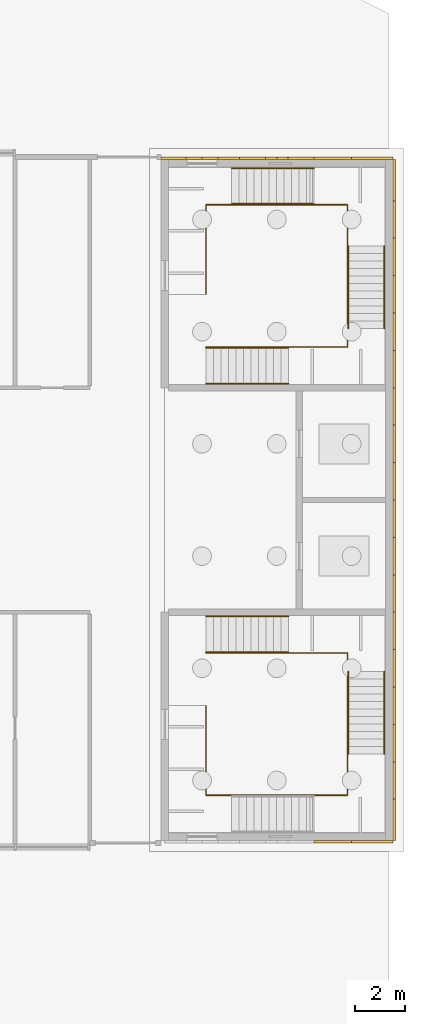
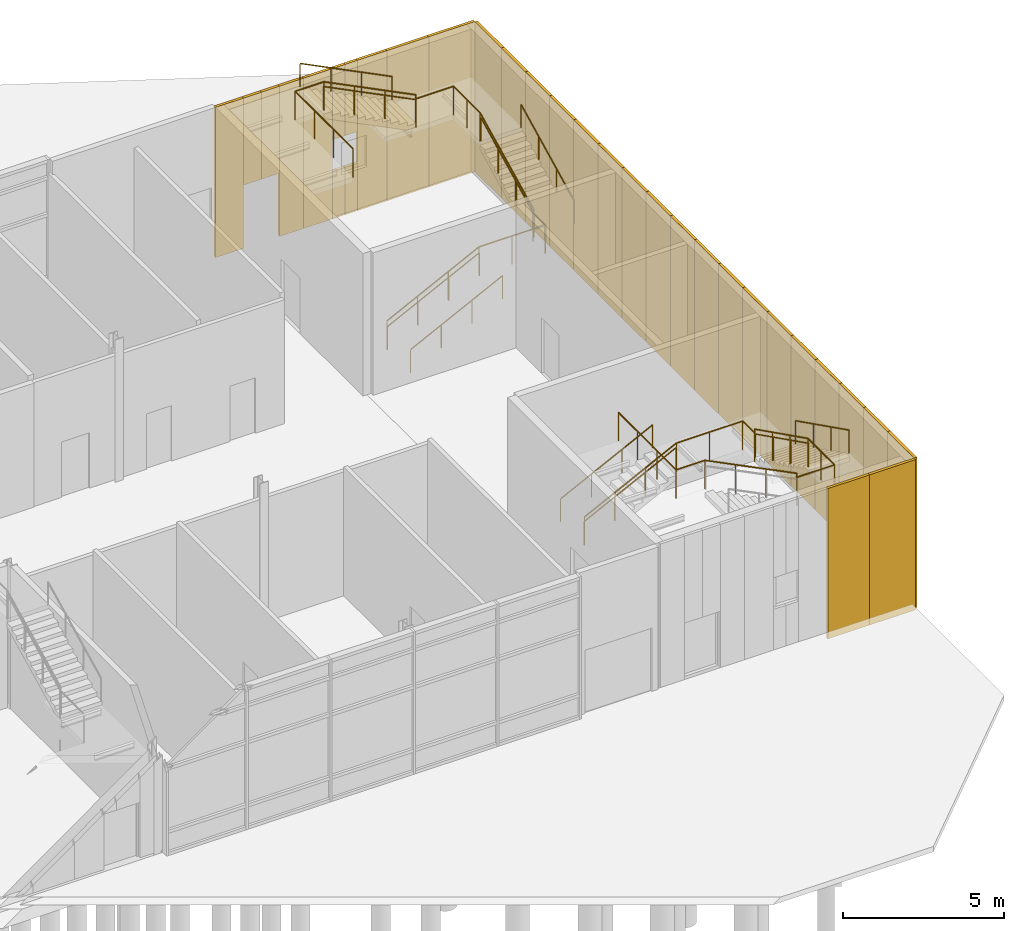
# One storey, part 44 of 45: 32 coverings, 12 railings.
"""IFC4 building model written with IfcOpenShell, lengths in metres."""

from ifc_helpers import new_model, si_unit, direction, frame, origin, origin_2d, place, context, subcontext, project, spatial, rectangle, circle, extrude, material, layer, layer_set, type_object, element, save


model = new_model("IFC4")

# Units and contexts
model_context = context("Model", 3, precision=1e-05, world=origin(), true_north=direction((0.0, 1.0)))
body_context = subcontext(model_context, "Body", "Model", "MODEL_VIEW")
ifc_project = project(units=[si_unit("LENGTHUNIT", "METRE"), si_unit("AREAUNIT", "SQUARE_METRE"), si_unit("VOLUMEUNIT", "CUBIC_METRE"), si_unit("PLANEANGLEUNIT", "RADIAN"), si_unit("MASSUNIT", "GRAM", prefix="KILO")], contexts=[model_context])

# Site, building, storey
site_placement = place(None, origin())
site = spatial("IfcSite", under=ifc_project, at=site_placement, CompositionType="ELEMENT")
building_placement = place(site_placement, origin())
building = spatial("IfcBuilding", under=site, at=building_placement, Name="Azimuth Sports and Learning Centre", CompositionType="ELEMENT")
storey_placement = place(building_placement, origin())
storey = spatial("IfcBuildingStorey", under=building, at=storey_placement, Name="L00", CompositionType="ELEMENT", Elevation=0.0)

# Coverings
ifc_material_1 = material(Name="Cladding panel")
ifc_layer = layer(ifc_material_1, 0.10009765625)
ifc_layer_set = layer_set([ifc_layer], Name="Cladding panel")
covering_type = type_object("IfcCoveringType", Name="Cladding panel 100", PredefinedType="CLADDING", material=ifc_layer_set)
covering_1_placement = place(storey_placement, frame((168.75, 89.800048828125, -0.2998046875), z_axis=(0.0, 0.0, 1.0), x_axis=(1.0, 0.0, 0.0)))
element("IfcCovering", 1, at=covering_1_placement, inside=storey, type_object=covering_type, Name="Cladding panel S-END E L00 11", PredefinedType="CLADDING", context=body_context, shape_type="SweptSolid", body=[
    extrude(rectangle(XDim=1.5, YDim=0.10009765625, at=origin_2d()), origin(), (0.0, 0.0, 1.0), 5.699951171875),
])
for number, where, z_axis, x_axis, name in (
    (2, (170.324951171875, 89.800048828125, -0.2998046875), (0.0, 0.0, 1.0), (1.0, 0.0, 0.0), "Cladding panel S-END E L00 12"),
    (3, (171.199951171875, 90.675048828125, -0.2998046875), (0.0, 0.0, 1.0), (0.0, 1.0, 0.0), "Cladding panel E-END E L00 1"),
):
    element("IfcCovering", number, at=place(storey_placement, frame(where, z_axis=z_axis, x_axis=x_axis)), inside=storey, type_object=covering_type, Name=name, PredefinedType="CLADDING", context=body_context, shape_type="SweptSolid", body=[
        extrude(rectangle(XDim=1.64990234375, YDim=0.10009765625, at=origin_2d()), origin(), (0.0, 0.0, 1.0), 5.699951171875),
    ])
for number, where, z_axis, x_axis, name in (
    (4, (171.199951171875, 92.25, -0.2998046875), (0.0, 0.0, 1.0), (0.0, 1.0, 0.0), "Cladding panel E-END E L00 2"),
    (5, (171.199951171875, 93.75, -0.2998046875), (0.0, 0.0, 1.0), (0.0, 1.0, 0.0), "Cladding panel E-END E L00 3"),
    (6, (171.199951171875, 95.25, -0.2998046875), (0.0, 0.0, 1.0), (0.0, 1.0, 0.0), "Cladding panel E-END E L00 4"),
    (7, (171.199951171875, 96.75, -0.2998046875), (0.0, 0.0, 1.0), (0.0, 1.0, 0.0), "Cladding panel E-END E L00 5"),
    (8, (171.199951171875, 98.25, -0.2998046875), (0.0, 0.0, 1.0), (0.0, 1.0, 0.0), "Cladding panel E-END E L00 6"),
    (9, (171.199951171875, 99.75, -0.2998046875), (0.0, 0.0, 1.0), (0.0, 1.0, 0.0), "Cladding panel E-END E L00 7"),
    (10, (171.199951171875, 101.25, -0.2998046875), (0.0, 0.0, 1.0), (0.0, 1.0, 0.0), "Cladding panel E-END E L00 8"),
    (11, (171.199951171875, 102.75, -0.2998046875), (0.0, 0.0, 1.0), (0.0, 1.0, 0.0), "Cladding panel E-END E L00 9"),
    (12, (171.199951171875, 104.25, -0.2998046875), (0.0, 0.0, 1.0), (0.0, 1.0, 0.0), "Cladding panel E-END E L00 10"),
    (13, (171.199951171875, 105.75, -0.2998046875), (0.0, 0.0, 1.0), (0.0, 1.0, 0.0), "Cladding panel E-END E L00 11"),
    (14, (171.199951171875, 107.25, -0.2998046875), (0.0, 0.0, 1.0), (0.0, 1.0, 0.0), "Cladding panel E-END E L00 12"),
    (15, (171.199951171875, 108.75, -0.2998046875), (0.0, 0.0, 1.0), (0.0, 1.0, 0.0), "Cladding panel E-END E L00 13"),
    (16, (171.199951171875, 110.25, -0.2998046875), (0.0, 0.0, 1.0), (0.0, 1.0, 0.0), "Cladding panel E-END E L00 14"),
    (17, (171.199951171875, 111.75, -0.2998046875), (0.0, 0.0, 1.0), (0.0, 1.0, 0.0), "Cladding panel E-END E L00 15"),
    (18, (171.199951171875, 113.25, -0.2998046875), (0.0, 0.0, 1.0), (0.0, 1.0, 0.0), "Cladding panel E-END E L00 16"),
    (19, (171.199951171875, 114.75, -0.2998046875), (0.0, 0.0, 1.0), (0.0, 1.0, 0.0), "Cladding panel E-END E L00 17"),
):
    element("IfcCovering", number, at=place(storey_placement, frame(where, z_axis=z_axis, x_axis=x_axis)), inside=storey, type_object=covering_type, Name=name, PredefinedType="CLADDING", context=body_context, shape_type="SweptSolid", body=[
        extrude(rectangle(XDim=1.5, YDim=0.10009765625, at=origin_2d()), origin(), (0.0, 0.0, 1.0), 5.699951171875),
    ])
for number, where, z_axis, x_axis, name in (
    (20, (171.199951171875, 116.324951171875, -0.2998046875), (0.0, 0.0, 1.0), (0.0, 1.0, 0.0), "Cladding panel E-END E L00 18"),
    (21, (170.324951171875, 117.199951171875, -0.2998046875), (0.0, 0.0, 1.0), (-1.0, 0.0, 0.0), "Cladding panel N-END E L00 1"),
):
    element("IfcCovering", number, at=place(storey_placement, frame(where, z_axis=z_axis, x_axis=x_axis)), inside=storey, type_object=covering_type, Name=name, PredefinedType="CLADDING", context=body_context, shape_type="SweptSolid", body=[
        extrude(rectangle(XDim=1.64990234375, YDim=0.10009765625, at=origin_2d()), origin(), (0.0, 0.0, 1.0), 5.699951171875),
    ])
covering_2_placement = place(storey_placement, frame((168.75, 117.199951171875, -0.2998046875), z_axis=(0.0, 0.0, 1.0), x_axis=(-1.0, 0.0, 0.0)))
element("IfcCovering", 22, at=covering_2_placement, inside=storey, type_object=covering_type, Name="Cladding panel N-END E L00 2", PredefinedType="CLADDING", context=body_context, shape_type="SweptSolid", body=[
    extrude(rectangle(XDim=1.5, YDim=0.10009765625, at=origin_2d()), origin(), (0.0, 0.0, 1.0), 5.699951171875),
])
covering_3_placement = place(storey_placement, frame((167.47509765625, 117.199951171875, -0.2998046875), z_axis=(0.0, 0.0, 1.0), x_axis=(-1.0, 0.0, 0.0)))
element("IfcCovering", 23, at=covering_3_placement, inside=storey, type_object=covering_type, Name="Cladding panel N-END E L00 3", PredefinedType="CLADDING", context=body_context, shape_type="SweptSolid", body=[
    extrude(rectangle(XDim=1.050048828125, YDim=0.10009765625, at=origin_2d()), origin(), (0.0, 0.0, 1.0), 5.699951171875),
])
covering_4_placement = place(storey_placement, frame((166.72509765625, 117.199951171875, -0.2998046875), z_axis=(0.0, 0.0, 1.0), x_axis=(-1.0, 0.0, 0.0)))
element("IfcCovering", 24, at=covering_4_placement, inside=storey, type_object=covering_type, Name="Cladding panel N-END E L00 4", PredefinedType="CLADDING", context=body_context, shape_type="SweptSolid", body=[
    extrude(rectangle(XDim=0.449951171875, YDim=0.10009765625, at=origin_2d()), origin(), (0.0, 0.0, 1.0), 1.800048828125),
])
covering_5_placement = place(storey_placement, frame((166.72509765625, 117.199951171875, 2.7001953125), z_axis=(0.0, 0.0, 1.0), x_axis=(-1.0, 0.0, 0.0)))
element("IfcCovering", 25, at=covering_5_placement, inside=storey, type_object=covering_type, Name="Cladding panel N-END E L00 5", PredefinedType="CLADDING", context=body_context, shape_type="SweptSolid", body=[
    extrude(rectangle(XDim=0.449951171875, YDim=0.10009765625, at=origin_2d()), origin(), (0.0, 0.0, 1.0), 2.699951171875),
])
covering_6_placement = place(storey_placement, frame((165.52490234375, 117.199951171875, -0.2998046875), z_axis=(0.0, 0.0, 1.0), x_axis=(-1.0, 0.0, 0.0)))
element("IfcCovering", 26, at=covering_6_placement, inside=storey, type_object=covering_type, Name="Cladding panel N-END E L00 6", PredefinedType="CLADDING", context=body_context, shape_type="SweptSolid", body=[
    extrude(rectangle(XDim=1.050048828125, YDim=0.10009765625, at=origin_2d()), origin(), (0.0, 0.0, 1.0), 5.699951171875),
])
covering_7_placement = place(storey_placement, frame((166.27490234375, 117.199951171875, -0.2998046875), z_axis=(0.0, 0.0, 1.0), x_axis=(-1.0, 0.0, 0.0)))
element("IfcCovering", 27, at=covering_7_placement, inside=storey, type_object=covering_type, Name="Cladding panel N-END E L00 7", PredefinedType="CLADDING", context=body_context, shape_type="SweptSolid", body=[
    extrude(rectangle(XDim=0.449951171875, YDim=0.10009765625, at=origin_2d()), origin(), (0.0, 0.0, 1.0), 1.800048828125),
])
covering_8_placement = place(storey_placement, frame((166.27490234375, 117.199951171875, 2.7001953125), z_axis=(0.0, 0.0, 1.0), x_axis=(-1.0, 0.0, 0.0)))
element("IfcCovering", 28, at=covering_8_placement, inside=storey, type_object=covering_type, Name="Cladding panel N-END E L00 8", PredefinedType="CLADDING", context=body_context, shape_type="SweptSolid", body=[
    extrude(rectangle(XDim=0.449951171875, YDim=0.10009765625, at=origin_2d()), origin(), (0.0, 0.0, 1.0), 2.699951171875),
])
covering_9_placement = place(storey_placement, frame((163.824951171875, 117.199951171875, 2.10009765625), z_axis=(0.0, 0.0, 1.0), x_axis=(-1.0, 0.0, 0.0)))
element("IfcCovering", 29, at=covering_9_placement, inside=storey, type_object=covering_type, Name="Cladding panel N-END E L00 9", PredefinedType="CLADDING", context=body_context, shape_type="SweptSolid", body=[
    extrude(rectangle(XDim=0.64990234375, YDim=0.10009765625, at=origin_2d()), origin(), (0.0, 0.0, 1.0), 3.300048828125),
])
covering_10_placement = place(storey_placement, frame((164.574951171875, 117.199951171875, -0.2998046875), z_axis=(0.0, 0.0, 1.0), x_axis=(-1.0, 0.0, 0.0)))
element("IfcCovering", 30, at=covering_10_placement, inside=storey, type_object=covering_type, Name="Cladding panel N-END E L00 10", PredefinedType="CLADDING", context=body_context, shape_type="SweptSolid", body=[
    extrude(rectangle(XDim=0.85009765625, YDim=0.10009765625, at=origin_2d()), origin(), (0.0, 0.0, 1.0), 5.699951171875),
])
covering_11_placement = place(storey_placement, frame((163.175048828125, 117.199951171875, 2.10009765625), z_axis=(0.0, 0.0, 1.0), x_axis=(-1.0, 0.0, 0.0)))
element("IfcCovering", 31, at=covering_11_placement, inside=storey, type_object=covering_type, Name="Cladding panel N-END E L00 11", PredefinedType="CLADDING", context=body_context, shape_type="SweptSolid", body=[
    extrude(rectangle(XDim=0.64990234375, YDim=0.10009765625, at=origin_2d()), origin(), (0.0, 0.0, 1.0), 3.300048828125),
])
covering_12_placement = place(storey_placement, frame((162.35009765625, 117.199951171875, -0.2998046875), z_axis=(0.0, 0.0, 1.0), x_axis=(-1.0, 0.0, 0.0)))
element("IfcCovering", 32, at=covering_12_placement, inside=storey, type_object=covering_type, Name="Cladding panel N-END E L00 12", PredefinedType="CLADDING", context=body_context, shape_type="SweptSolid", body=[
    extrude(rectangle(XDim=1.0, YDim=0.10009765625, at=origin_2d()), origin(), (0.0, 0.0, 1.0), 5.699951171875),
])

# Railings
ifc_material_2 = material(Name="Stainless steel", Category="steel")
railing_type_1 = type_object("IfcRailingType", Name="Stair guard 1100", PredefinedType="GUARDRAIL", material=ifc_material_2)
railing_1_placement = place(storey_placement, frame((163.659912109375, 97.364990234375, 0.14990234375)))
element("IfcRailing", 33, at=railing_1_placement, inside=storey, type_object=railing_type_1, Name="Guard EW1 L00 well", PredefinedType="GUARDRAIL", context=body_context, shape_type="SweptSolid", body=[
    extrude(circle(Radius=0.02392578125, at=origin_2d()), frame((0.0, 0.0, 1.076171875), z_axis=(0.894413956696, 0.0, 0.447240063129), x_axis=(0.0, 1.0, 0.0)), (0.0, 0.0, 1.0), 3.689697265625),
    extrude(circle(Radius=0.02392578125, at=origin_2d()), frame((3.300048828125, 0.0, 2.72607421875), z_axis=(1.0, 0.0, 0.0), x_axis=(0.0, 1.0, 0.0)), (0.0, 0.0, 1.0), 2.380126953125),
    extrude(circle(Radius=0.02392578125, at=origin_2d()), frame((5.68017578125, 0.0, 2.72607421875), z_axis=(0.0, -1.0, 0.0), x_axis=(1.0, 0.0, 0.0)), (0.0, 0.0, 1.0), 0.75),
    extrude(circle(Radius=0.02392578125, at=origin_2d()), frame((5.68017578125, -0.75, 2.72607421875), z_axis=(0.0, 0.0, 1.0), x_axis=(1.0, 0.0, 0.0)), (0.0, 0.0, 1.0), 0.14990234375),
    extrude(circle(Radius=0.02392578125, at=origin_2d()), frame((5.68017578125, -0.75, 2.8759765625), z_axis=(0.0, -0.894413956696, 0.447240063129), x_axis=(1.0, 0.0, 0.0)), (0.0, 0.0, 1.0), 3.689697265625),
    extrude(circle(Radius=0.02392578125, at=origin_2d()), frame((5.68017578125, -4.050048828125, 4.5263671875), z_axis=(0.0, -1.0, 0.0), x_axis=(1.0, 0.0, 0.0)), (0.0, 0.0, 1.0), 1.655029296875),
    extrude(circle(Radius=0.02392578125, at=origin_2d()), frame((5.68017578125, -5.705078125, 4.5263671875), z_axis=(-1.0, 0.0, 0.0), x_axis=(0.0, -1.0, 0.0)), (0.0, 0.0, 1.0), 1.35009765625),
    extrude(circle(Radius=0.02392578125, at=origin_2d()), frame((4.330078125, -5.705078125, 4.5263671875), z_axis=(0.0, 0.0, 1.0), x_axis=(1.0, 0.0, 0.0)), (0.0, 0.0, 1.0), 0.14990234375),
    extrude(circle(Radius=0.02392578125, at=origin_2d()), frame((4.330078125, -5.705078125, 4.67626953125), z_axis=(-0.894440424912, 0.0, 0.447187126696), x_axis=(0.0, -1.0, 0.0)), (0.0, 0.0, 1.0), 3.689453125),
    extrude(circle(Radius=0.02392578125, at=origin_2d()), frame((1.030029296875, -5.705078125, 6.326171875), z_axis=(-1.0, 0.0, 0.0), x_axis=(0.0, -1.0, 0.0)), (0.0, 0.0, 1.0), 1.030029296875),
    extrude(circle(Radius=0.02392578125, at=origin_2d()), frame((0.0, -5.705078125, 6.326171875), z_axis=(0.0, 1.0, 0.0), x_axis=(-1.0, 0.0, 0.0)), (0.0, 0.0, 1.0), 3.590087890625),
    extrude(circle(Radius=0.01611328125, at=origin_2d()), origin(), (0.0, 0.0, 1.0), 1.052001953125),
    extrude(circle(Radius=0.01611328125, at=origin_2d()), frame((1.10009765625, 0.0, 0.550048828125)), (0.0, 0.0, 1.0), 1.052001953125),
    extrude(circle(Radius=0.01611328125, at=origin_2d()), frame((2.199951171875, 0.0, 1.10009765625)), (0.0, 0.0, 1.0), 1.052001953125),
    extrude(circle(Radius=0.01611328125, at=origin_2d()), frame((3.300048828125, 0.0, 1.650146484375)), (0.0, 0.0, 1.0), 1.052001953125),
    extrude(circle(Radius=0.01611328125, at=origin_2d()), frame((4.490234375, 0.0, 1.650146484375)), (0.0, 0.0, 1.0), 1.052001953125),
    extrude(circle(Radius=0.01611328125, at=origin_2d()), frame((5.68017578125, 0.0, 1.650146484375)), (0.0, 0.0, 1.0), 1.052001953125),
    extrude(circle(Radius=0.01611328125, at=origin_2d()), frame((5.68017578125, -0.75, 1.650146484375)), (0.0, 0.0, 1.0), 1.052001953125),
    extrude(circle(Radius=0.01611328125, at=origin_2d()), frame((5.68017578125, -0.75, 1.800048828125)), (0.0, 0.0, 1.0), 1.052001953125),
    extrude(circle(Radius=0.01611328125, at=origin_2d()), frame((5.68017578125, -1.85009765625, 2.35009765625)), (0.0, 0.0, 1.0), 1.052001953125),
    extrude(circle(Radius=0.01611328125, at=origin_2d()), frame((5.68017578125, -2.949951171875, 2.900146484375)), (0.0, 0.0, 1.0), 1.052001953125),
    extrude(circle(Radius=0.01611328125, at=origin_2d()), frame((5.68017578125, -4.050048828125, 3.4501953125)), (0.0, 0.0, 1.0), 1.052001953125),
    extrude(circle(Radius=0.01611328125, at=origin_2d()), frame((5.68017578125, -4.87744140625, 3.4501953125)), (0.0, 0.0, 1.0), 1.052001953125),
    extrude(circle(Radius=0.01611328125, at=origin_2d()), frame((5.68017578125, -5.705078125, 3.4501953125)), (0.0, 0.0, 1.0), 1.052001953125),
    extrude(circle(Radius=0.01611328125, at=origin_2d()), frame((4.330078125, -5.705078125, 3.4501953125)), (0.0, 0.0, 1.0), 1.052001953125),
    extrude(circle(Radius=0.01611328125, at=origin_2d()), frame((4.330078125, -5.705078125, 3.60009765625)), (0.0, 0.0, 1.0), 1.052001953125),
    extrude(circle(Radius=0.01611328125, at=origin_2d()), frame((3.22998046875, -5.705078125, 4.150146484375)), (0.0, 0.0, 1.0), 1.052001953125),
    extrude(circle(Radius=0.01611328125, at=origin_2d()), frame((2.130126953125, -5.705078125, 4.699951171875)), (0.0, 0.0, 1.0), 1.052001953125),
    extrude(circle(Radius=0.01611328125, at=origin_2d()), frame((1.030029296875, -5.705078125, 5.25)), (0.0, 0.0, 1.0), 1.052001953125),
    extrude(circle(Radius=0.01611328125, at=origin_2d()), frame((0.0, -5.705078125, 5.25)), (0.0, 0.0, 1.0), 1.052001953125),
    extrude(circle(Radius=0.01611328125, at=origin_2d()), frame((0.0, -4.50830078125, 5.25)), (0.0, 0.0, 1.0), 1.052001953125),
    extrude(circle(Radius=0.01611328125, at=origin_2d()), frame((0.0, -3.311767578125, 5.25)), (0.0, 0.0, 1.0), 1.052001953125),
    extrude(circle(Radius=0.01611328125, at=origin_2d()), frame((0.0, -2.114990234375, 5.25)), (0.0, 0.0, 1.0), 1.052001953125),
])
railing_2_placement = place(storey_placement, frame((163.659912109375, 109.635009765625, 0.14990234375)))
element("IfcRailing", 34, at=railing_2_placement, inside=storey, type_object=railing_type_1, Name="Guard EW2 L00 well", PredefinedType="GUARDRAIL", context=body_context, shape_type="SweptSolid", body=[
    extrude(circle(Radius=0.02392578125, at=origin_2d()), frame((0.0, 0.0, 1.076171875), z_axis=(0.894413956696, 0.0, 0.447240063129), x_axis=(0.0, 1.0, 0.0)), (0.0, 0.0, 1.0), 3.689697265625),
    extrude(circle(Radius=0.02392578125, at=origin_2d()), frame((3.300048828125, 0.0, 2.72607421875), z_axis=(1.0, 0.0, 0.0), x_axis=(0.0, 1.0, 0.0)), (0.0, 0.0, 1.0), 2.380126953125),
    extrude(circle(Radius=0.02392578125, at=origin_2d()), frame((5.68017578125, 0.0, 2.72607421875), z_axis=(0.0, 1.0, 0.0), x_axis=(-1.0, 0.0, 0.0)), (0.0, 0.0, 1.0), 0.75),
    extrude(circle(Radius=0.02392578125, at=origin_2d()), frame((5.68017578125, 0.75, 2.72607421875), z_axis=(0.0, 0.0, 1.0), x_axis=(1.0, 0.0, 0.0)), (0.0, 0.0, 1.0), 0.14990234375),
    extrude(circle(Radius=0.02392578125, at=origin_2d()), frame((5.68017578125, 0.75, 2.8759765625), z_axis=(0.0, 0.894413956696, 0.447240063129), x_axis=(-1.0, 0.0, 0.0)), (0.0, 0.0, 1.0), 3.689697265625),
    extrude(circle(Radius=0.02392578125, at=origin_2d()), frame((5.68017578125, 4.050048828125, 4.5263671875), z_axis=(0.0, 1.0, 0.0), x_axis=(-1.0, 0.0, 0.0)), (0.0, 0.0, 1.0), 1.655029296875),
    extrude(circle(Radius=0.02392578125, at=origin_2d()), frame((5.68017578125, 5.705078125, 4.5263671875), z_axis=(-1.0, 0.0, 0.0), x_axis=(0.0, -1.0, 0.0)), (0.0, 0.0, 1.0), 1.35009765625),
    extrude(circle(Radius=0.02392578125, at=origin_2d()), frame((4.330078125, 5.705078125, 4.5263671875), z_axis=(0.0, 0.0, 1.0), x_axis=(1.0, 0.0, 0.0)), (0.0, 0.0, 1.0), 0.14990234375),
    extrude(circle(Radius=0.02392578125, at=origin_2d()), frame((4.330078125, 5.705078125, 4.67626953125), z_axis=(-0.894440424912, 0.0, 0.447187126696), x_axis=(0.0, -1.0, 0.0)), (0.0, 0.0, 1.0), 3.689453125),
    extrude(circle(Radius=0.02392578125, at=origin_2d()), frame((1.030029296875, 5.705078125, 6.326171875), z_axis=(-1.0, 0.0, 0.0), x_axis=(0.0, -1.0, 0.0)), (0.0, 0.0, 1.0), 1.030029296875),
    extrude(circle(Radius=0.02392578125, at=origin_2d()), frame((0.0, 5.705078125, 6.326171875), z_axis=(0.0, -1.0, 0.0), x_axis=(1.0, 0.0, 0.0)), (0.0, 0.0, 1.0), 3.590087890625),
    extrude(circle(Radius=0.01611328125, at=origin_2d()), origin(), (0.0, 0.0, 1.0), 1.052001953125),
    extrude(circle(Radius=0.01611328125, at=origin_2d()), frame((1.10009765625, 0.0, 0.550048828125)), (0.0, 0.0, 1.0), 1.052001953125),
    extrude(circle(Radius=0.01611328125, at=origin_2d()), frame((2.199951171875, 0.0, 1.10009765625)), (0.0, 0.0, 1.0), 1.052001953125),
    extrude(circle(Radius=0.01611328125, at=origin_2d()), frame((3.300048828125, 0.0, 1.650146484375)), (0.0, 0.0, 1.0), 1.052001953125),
    extrude(circle(Radius=0.01611328125, at=origin_2d()), frame((4.490234375, 0.0, 1.650146484375)), (0.0, 0.0, 1.0), 1.052001953125),
    extrude(circle(Radius=0.01611328125, at=origin_2d()), frame((5.68017578125, 0.0, 1.650146484375)), (0.0, 0.0, 1.0), 1.052001953125),
    extrude(circle(Radius=0.01611328125, at=origin_2d()), frame((5.68017578125, 0.75, 1.650146484375)), (0.0, 0.0, 1.0), 1.052001953125),
    extrude(circle(Radius=0.01611328125, at=origin_2d()), frame((5.68017578125, 0.75, 1.800048828125)), (0.0, 0.0, 1.0), 1.052001953125),
    extrude(circle(Radius=0.01611328125, at=origin_2d()), frame((5.68017578125, 1.85009765625, 2.35009765625)), (0.0, 0.0, 1.0), 1.052001953125),
    extrude(circle(Radius=0.01611328125, at=origin_2d()), frame((5.68017578125, 2.949951171875, 2.900146484375)), (0.0, 0.0, 1.0), 1.052001953125),
    extrude(circle(Radius=0.01611328125, at=origin_2d()), frame((5.68017578125, 4.050048828125, 3.4501953125)), (0.0, 0.0, 1.0), 1.052001953125),
    extrude(circle(Radius=0.01611328125, at=origin_2d()), frame((5.68017578125, 4.87744140625, 3.4501953125)), (0.0, 0.0, 1.0), 1.052001953125),
    extrude(circle(Radius=0.01611328125, at=origin_2d()), frame((5.68017578125, 5.705078125, 3.4501953125)), (0.0, 0.0, 1.0), 1.052001953125),
    extrude(circle(Radius=0.01611328125, at=origin_2d()), frame((4.330078125, 5.705078125, 3.4501953125)), (0.0, 0.0, 1.0), 1.052001953125),
    extrude(circle(Radius=0.01611328125, at=origin_2d()), frame((4.330078125, 5.705078125, 3.60009765625)), (0.0, 0.0, 1.0), 1.052001953125),
    extrude(circle(Radius=0.01611328125, at=origin_2d()), frame((3.22998046875, 5.705078125, 4.150146484375)), (0.0, 0.0, 1.0), 1.052001953125),
    extrude(circle(Radius=0.01611328125, at=origin_2d()), frame((2.130126953125, 5.705078125, 4.699951171875)), (0.0, 0.0, 1.0), 1.052001953125),
    extrude(circle(Radius=0.01611328125, at=origin_2d()), frame((1.030029296875, 5.705078125, 5.25)), (0.0, 0.0, 1.0), 1.052001953125),
    extrude(circle(Radius=0.01611328125, at=origin_2d()), frame((0.0, 5.705078125, 5.25)), (0.0, 0.0, 1.0), 1.052001953125),
    extrude(circle(Radius=0.01611328125, at=origin_2d()), frame((0.0, 4.50830078125, 5.25)), (0.0, 0.0, 1.0), 1.052001953125),
    extrude(circle(Radius=0.01611328125, at=origin_2d()), frame((0.0, 3.311767578125, 5.25)), (0.0, 0.0, 1.0), 1.052001953125),
    extrude(circle(Radius=0.01611328125, at=origin_2d()), frame((0.0, 2.114990234375, 5.25)), (0.0, 0.0, 1.0), 1.052001953125),
])
ifc_material_3 = material(Name="Stainless steel", Category="steel")
railing_type_2 = type_object("IfcRailingType", Name="Stair handrail 42", PredefinedType="HANDRAIL", material=ifc_material_3)
for number, where, name in (
    (35, (163.659912109375, 97.39501953125, 0.14990234375), "Handrail EW1 L00 flight 1 inner"),
    (36, (163.659912109375, 98.8349609375, 0.14990234375), "Handrail EW1 L00 flight 1 outer"),
):
    element("IfcRailing", number, at=place(storey_placement, frame(where)), inside=storey, type_object=railing_type_2, Name=name, PredefinedType="HANDRAIL", context=body_context, shape_type="SweptSolid", body=[
        extrude(circle(Radius=0.02099609375, at=origin_2d()), frame((0.0, 0.0, 0.87890625), z_axis=(0.894413956696, 0.0, 0.447240063129), x_axis=(0.0, 1.0, 0.0)), (0.0, 0.0, 1.0), 3.689697265625),
        extrude(circle(Radius=0.01611328125, at=origin_2d()), origin(), (0.0, 0.0, 1.0), 0.85791015625),
        extrude(circle(Radius=0.01611328125, at=origin_2d()), frame((1.10009765625, 0.0, 0.550048828125)), (0.0, 0.0, 1.0), 0.85791015625),
        extrude(circle(Radius=0.01611328125, at=origin_2d()), frame((2.199951171875, 0.0, 1.10009765625)), (0.0, 0.0, 1.0), 0.85791015625),
        extrude(circle(Radius=0.01611328125, at=origin_2d()), frame((3.300048828125, 0.0, 1.650146484375)), (0.0, 0.0, 1.0), 0.85791015625),
    ])
for number, where, name in (
    (37, (169.3701171875, 96.614990234375, 1.949951171875), "Handrail EW1 L00 flight 2 inner"),
    (38, (170.81005859375, 96.614990234375, 1.949951171875), "Handrail EW1 L00 flight 2 outer"),
):
    element("IfcRailing", number, at=place(storey_placement, frame(where)), inside=storey, type_object=railing_type_2, Name=name, PredefinedType="HANDRAIL", context=body_context, shape_type="SweptSolid", body=[
        extrude(circle(Radius=0.02099609375, at=origin_2d()), frame((0.0, 0.0, 0.87890625), z_axis=(0.0, -0.894413956696, 0.447240063129), x_axis=(1.0, 0.0, 0.0)), (0.0, 0.0, 1.0), 3.689697265625),
        extrude(circle(Radius=0.01611328125, at=origin_2d()), origin(), (0.0, 0.0, 1.0), 0.85791015625),
        extrude(circle(Radius=0.01611328125, at=origin_2d()), frame((0.0, -1.10009765625, 0.550048828125)), (0.0, 0.0, 1.0), 0.85791015625),
        extrude(circle(Radius=0.01611328125, at=origin_2d()), frame((0.0, -2.199951171875, 1.10009765625)), (0.0, 0.0, 1.0), 0.85791015625),
        extrude(circle(Radius=0.01611328125, at=origin_2d()), frame((0.0, -3.300048828125, 1.650146484375)), (0.0, 0.0, 1.0), 0.85791015625),
    ])
for number, where, name in (
    (39, (163.659912109375, 109.60498046875, 0.14990234375), "Handrail EW2 L00 flight 1 inner"),
    (40, (163.659912109375, 108.1650390625, 0.14990234375), "Handrail EW2 L00 flight 1 outer"),
):
    element("IfcRailing", number, at=place(storey_placement, frame(where)), inside=storey, type_object=railing_type_2, Name=name, PredefinedType="HANDRAIL", context=body_context, shape_type="SweptSolid", body=[
        extrude(circle(Radius=0.02099609375, at=origin_2d()), frame((0.0, 0.0, 0.87890625), z_axis=(0.894413956696, 0.0, 0.447240063129), x_axis=(0.0, 1.0, 0.0)), (0.0, 0.0, 1.0), 3.689697265625),
        extrude(circle(Radius=0.01611328125, at=origin_2d()), origin(), (0.0, 0.0, 1.0), 0.85791015625),
        extrude(circle(Radius=0.01611328125, at=origin_2d()), frame((1.10009765625, 0.0, 0.550048828125)), (0.0, 0.0, 1.0), 0.85791015625),
        extrude(circle(Radius=0.01611328125, at=origin_2d()), frame((2.199951171875, 0.0, 1.10009765625)), (0.0, 0.0, 1.0), 0.85791015625),
        extrude(circle(Radius=0.01611328125, at=origin_2d()), frame((3.300048828125, 0.0, 1.650146484375)), (0.0, 0.0, 1.0), 0.85791015625),
    ])
for number, where, name in (
    (41, (169.3701171875, 110.385009765625, 1.949951171875), "Handrail EW2 L00 flight 2 inner"),
    (42, (170.81005859375, 110.385009765625, 1.949951171875), "Handrail EW2 L00 flight 2 outer"),
):
    element("IfcRailing", number, at=place(storey_placement, frame(where)), inside=storey, type_object=railing_type_2, Name=name, PredefinedType="HANDRAIL", context=body_context, shape_type="SweptSolid", body=[
        extrude(circle(Radius=0.02099609375, at=origin_2d()), frame((0.0, 0.0, 0.87890625), z_axis=(0.0, 0.894413956696, 0.447240063129), x_axis=(-1.0, 0.0, 0.0)), (0.0, 0.0, 1.0), 3.689697265625),
        extrude(circle(Radius=0.01611328125, at=origin_2d()), origin(), (0.0, 0.0, 1.0), 0.85791015625),
        extrude(circle(Radius=0.01611328125, at=origin_2d()), frame((0.0, 1.10009765625, 0.550048828125)), (0.0, 0.0, 1.0), 0.85791015625),
        extrude(circle(Radius=0.01611328125, at=origin_2d()), frame((0.0, 2.199951171875, 1.10009765625)), (0.0, 0.0, 1.0), 0.85791015625),
        extrude(circle(Radius=0.01611328125, at=origin_2d()), frame((0.0, 3.300048828125, 1.650146484375)), (0.0, 0.0, 1.0), 0.85791015625),
    ])
for number, where, name in (
    (43, (167.989990234375, 115.3701171875, 3.75), "Handrail EW2 L00 flight 3 inner"),
    (44, (167.989990234375, 116.81005859375, 3.75), "Handrail EW2 L00 flight 3 outer"),
):
    element("IfcRailing", number, at=place(storey_placement, frame(where)), inside=storey, type_object=railing_type_2, Name=name, PredefinedType="HANDRAIL", context=body_context, shape_type="SweptSolid", body=[
        extrude(circle(Radius=0.02099609375, at=origin_2d()), frame((0.0, 0.0, 0.87890625), z_axis=(-0.894440424912, 0.0, 0.447187126696), x_axis=(0.0, -1.0, 0.0)), (0.0, 0.0, 1.0), 3.689453125),
        extrude(circle(Radius=0.01611328125, at=origin_2d()), origin(), (0.0, 0.0, 1.0), 0.85791015625),
        extrude(circle(Radius=0.01611328125, at=origin_2d()), frame((-1.10009765625, 0.0, 0.550048828125)), (0.0, 0.0, 1.0), 0.85791015625),
        extrude(circle(Radius=0.01611328125, at=origin_2d()), frame((-2.199951171875, 0.0, 1.099853515625)), (0.0, 0.0, 1.0), 0.85791015625),
        extrude(circle(Radius=0.01611328125, at=origin_2d()), frame((-3.300048828125, 0.0, 1.64990234375)), (0.0, 0.0, 1.0), 0.85791015625),
    ])

save(model, "model.ifc")
